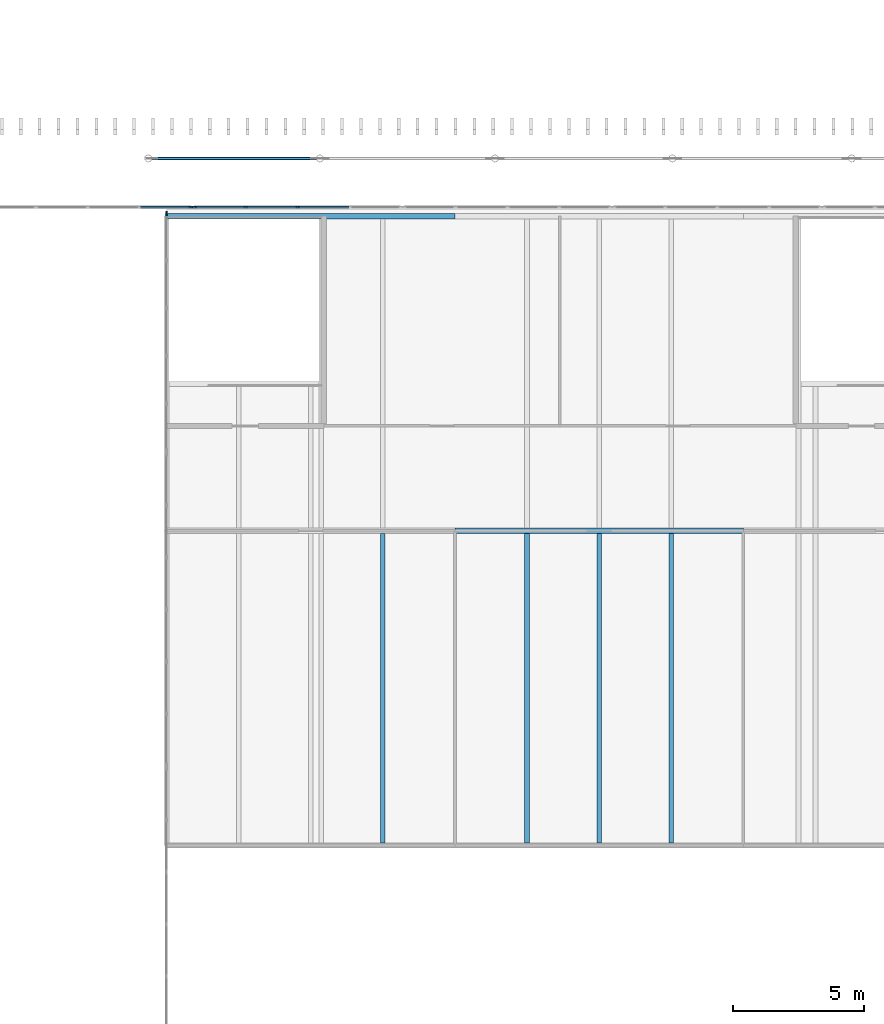
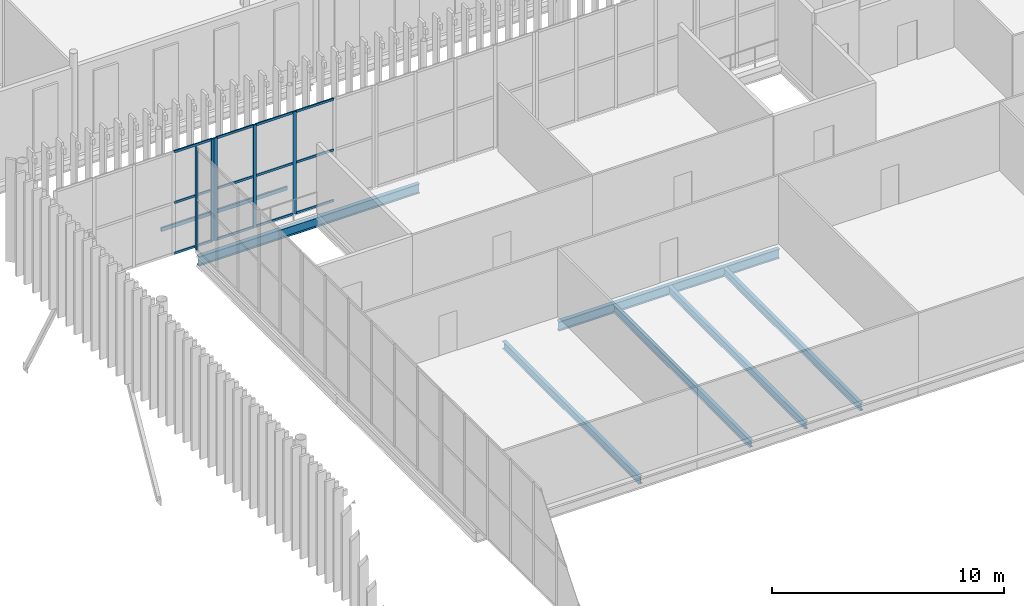
# One storey, part 65 of 170: 18 members, 6 beams, 3 elements without a shape of their own.
"""IFC4 building model written with IfcOpenShell, lengths in metres."""

from ifc_helpers import new_model, si_unit, direction, frame, origin, origin_2d, place, context, subcontext, project, spatial, rectangle, hollow_rectangle, i_section, extrude, material, layer, layer_set, material_profile, profile_set, type_object, element, aggregate, save


model = new_model("IFC4")

# Units and contexts
model_context = context("Model", 3, precision=1e-05, world=origin(), true_north=direction((0.0, 1.0)))
body_context = subcontext(model_context, "Body", "Model", "MODEL_VIEW")
ifc_project = project(units=[si_unit("LENGTHUNIT", "METRE"), si_unit("AREAUNIT", "SQUARE_METRE"), si_unit("VOLUMEUNIT", "CUBIC_METRE"), si_unit("PLANEANGLEUNIT", "RADIAN"), si_unit("MASSUNIT", "GRAM", prefix="KILO")], contexts=[model_context])

# Site, building, storey
site_placement = place(None, origin())
site = spatial("IfcSite", under=ifc_project, at=site_placement, CompositionType="ELEMENT")
building_placement = place(site_placement, origin())
building = spatial("IfcBuilding", under=site, at=building_placement, Name="Ravi Spectrum Wholesale Market", CompositionType="ELEMENT")
storey_placement = place(building_placement, frame((0.0, 0.0, 5.39990234375)))
storey = spatial("IfcBuildingStorey", under=building, at=storey_placement, Name="L01", CompositionType="ELEMENT", Elevation=5.39990234375)

# Beams
ifc_material_1 = material(Name="Steel S355", Category="steel")
ifc_material_profile_1 = material_profile(ifc_material_1, i_section(OverallWidth=0.179931640625, OverallDepth=0.39990234375, WebThickness=0.008544921875, FlangeThickness=0.013427734375, at=origin_2d()))
ifc_profile_set_1 = profile_set([ifc_material_profile_1], Name="Steel S355")
beam_type_1 = type_object("IfcBeamType", Name="IPE 400 beam", PredefinedType="BEAM", material=ifc_profile_set_1)
for number, where, z_axis, x_axis, name in (
    (1, (45.25, 171.10009765625, -0.449951171875), (0.0, 1.0, 0.0), (-1.0, 0.0, 0.0), "H1-BM-L01-029"),
    (2, (50.75, 171.10009765625, -0.449951171875), (0.0, 1.0, 0.0), (-1.0, 0.0, 0.0), "H1-BM-L01-031"),
    (3, (53.5, 171.10009765625, -0.449951171875), (0.0, 1.0, 0.0), (-1.0, 0.0, 0.0), "H1-BM-L01-033"),
    (4, (56.25, 171.10009765625, -0.449951171875), (0.0, 1.0, 0.0), (-1.0, 0.0, 0.0), "H1-BM-L01-035"),
):
    element("IfcBeam", number, at=place(storey_placement, frame(where, z_axis=z_axis, x_axis=x_axis)), inside=storey, type_object=beam_type_1, Name=name, PredefinedType="BEAM", context=body_context, shape_type="SweptSolid", body=[
        extrude(i_section(OverallWidth=0.179931640625, OverallDepth=0.39990234375, WebThickness=0.008544921875, FlangeThickness=0.013427734375, at=origin_2d()), origin(), (0.0, 0.0, 1.0), 11.7998046875),
    ])
ifc_material_2 = material(Name="Steel S355", Category="steel")
ifc_material_profile_2 = material_profile(ifc_material_2, i_section(OverallWidth=0.199951171875, OverallDepth=0.5, WebThickness=0.01025390625, FlangeThickness=0.01611328125, at=origin_2d()))
ifc_profile_set_2 = profile_set([ifc_material_profile_2], Name="Steel S355")
beam_type_2 = type_object("IfcBeamType", Name="IPE 500 girder", PredefinedType="BEAM", material=ifc_profile_set_2)
for number, where, z_axis, x_axis, name in (
    (5, (48.0, 183.0, -0.5), (1.0, 0.0, 0.0), (0.0, 1.0, 0.0), "H1-BM-L01-008"),
    (6, (37.0, 195.0, -0.5), (1.0, 0.0, 0.0), (0.0, 1.0, 0.0), "H1-BM-L01-013"),
):
    element("IfcBeam", number, at=place(storey_placement, frame(where, z_axis=z_axis, x_axis=x_axis)), inside=storey, type_object=beam_type_2, Name=name, PredefinedType="BEAM", context=body_context, shape_type="SweptSolid", body=[
        extrude(i_section(OverallWidth=0.199951171875, OverallDepth=0.5, WebThickness=0.01025390625, FlangeThickness=0.01611328125, at=origin_2d()), origin(), (0.0, 0.0, 1.0), 11.0),
    ])

# Curtain wall, member
ifc_material_3 = material(Name="Aluminium 6063-T6", Category="aluminium")
ifc_layer = layer(ifc_material_3, 0.14990234375)
ifc_layer_set = layer_set([ifc_layer], Name="Aluminium 6063-T6")
curtain_wall_type = type_object("IfcCurtainWallType", Name="Curtain wall 150", PredefinedType="NOTDEFINED", material=ifc_layer_set)
curtain_wall_1_placement = place(storey_placement, origin())
curtain_wall_1 = element("IfcCurtainWall", 7, at=curtain_wall_1_placement, inside=storey, type_object=curtain_wall_type, Name="H1-CW-L01-014", PredefinedType="NOTDEFINED")
ifc_material_4 = material(Name="Aluminium 6063-T6", Category="aluminium")
ifc_material_profile_3 = material_profile(ifc_material_4, rectangle(XDim=0.06005859375, YDim=0.159912109375, at=origin_2d()))
ifc_profile_set_3 = profile_set([ifc_material_profile_3], Name="Aluminium 6063-T6")
member_type_1 = type_object("IfcMemberType", Name="Mullion 60 x 160", PredefinedType="MULLION", material=ifc_profile_set_3)
member_1_placement = place(storey_placement, frame((37.0, 195.10009765625, 0.0), z_axis=(0.0, 0.0, 1.0), x_axis=(-1.0, 0.0, 0.0)))
member_1 = element("IfcMember", 8, at=member_1_placement, type_object=member_type_1, Name="H1-CW-L01-014 mullion 6", PredefinedType="MULLION", context=body_context, shape_type="SweptSolid", body=[
    extrude(rectangle(XDim=0.06005859375, YDim=0.159912109375, at=origin_2d()), origin(), (0.0, 0.0, 1.0), 5.400146484375),
])
aggregate(curtain_wall_1, [member_1])

curtain_wall_2_placement = place(storey_placement, origin())
curtain_wall_2 = element("IfcCurtainWall", 9, at=curtain_wall_2_placement, inside=storey, type_object=curtain_wall_type, Name="H1-CW-L01-053", PredefinedType="NOTDEFINED")
member_2_placement = place(storey_placement, frame((37.929931640625, 195.340087890625, 0.0), z_axis=(0.0, 0.0, 1.0), x_axis=(0.0, 1.0, 0.0)))
member_2 = element("IfcMember", 10, at=member_2_placement, type_object=member_type_1, Name="H1-CW-L01-053 mullion 5", PredefinedType="MULLION", context=body_context, shape_type="SweptSolid", body=[
    extrude(rectangle(XDim=0.06005859375, YDim=0.159912109375, at=origin_2d()), origin(), (0.0, 0.0, 1.0), 5.400146484375),
])

# Curtain wall, members
curtain_wall_3_placement = place(storey_placement, origin())
curtain_wall_3 = element("IfcCurtainWall", 11, at=curtain_wall_3_placement, inside=storey, type_object=curtain_wall_type, Name="H1-CW-L01-054", PredefinedType="NOTDEFINED")
member_3_placement = place(storey_placement, frame((38.070068359375, 195.340087890625, 0.0), z_axis=(0.0, 0.0, 1.0), x_axis=(0.0, 1.0, 0.0)))
member_3 = element("IfcMember", 12, at=member_3_placement, type_object=member_type_1, Name="H1-CW-L01-054 mullion 1", PredefinedType="MULLION", context=body_context, shape_type="SweptSolid", body=[
    extrude(rectangle(XDim=0.06005859375, YDim=0.159912109375, at=origin_2d()), origin(), (0.0, 0.0, 1.0), 5.400146484375),
])
member_4_placement = place(storey_placement, frame((40.02001953125, 195.340087890625, 0.0), z_axis=(0.0, 0.0, 1.0), x_axis=(0.0, 1.0, 0.0)))
member_4 = element("IfcMember", 13, at=member_4_placement, type_object=member_type_1, Name="H1-CW-L01-054 mullion 2", PredefinedType="MULLION", context=body_context, shape_type="SweptSolid", body=[
    extrude(rectangle(XDim=0.06005859375, YDim=0.159912109375, at=origin_2d()), origin(), (0.0, 0.0, 1.0), 5.400146484375),
])
member_5_placement = place(storey_placement, frame((42.0, 195.340087890625, 0.0), z_axis=(0.0, 0.0, 1.0), x_axis=(0.0, 1.0, 0.0)))
member_5 = element("IfcMember", 14, at=member_5_placement, type_object=member_type_1, Name="H1-CW-L01-054 mullion 3", PredefinedType="MULLION", context=body_context, shape_type="SweptSolid", body=[
    extrude(rectangle(XDim=0.06005859375, YDim=0.159912109375, at=origin_2d()), origin(), (0.0, 0.0, 1.0), 5.400146484375),
])

# Member
ifc_material_5 = material(Name="Steel S355", Category="steel")
ifc_material_profile_4 = material_profile(ifc_material_5, hollow_rectangle(XDim=0.10009765625, YDim=0.199951171875, WallThickness=0.00634765625, InnerFilletRadius=0.00634765625, OuterFilletRadius=0.0126953125, at=origin_2d()))
ifc_profile_set_4 = profile_set([ifc_material_profile_4], Name="Steel S355")
member_type_2 = type_object("IfcMemberType", Name="RHS 200x100x6.3 strut", PredefinedType="STRUT", material=ifc_profile_set_4)
member_6_placement = place(storey_placement, frame((36.439453125, 197.199951171875, 0.0), z_axis=(1.0, 0.0, 0.0), x_axis=(0.0, 1.0, 0.0)))
element("IfcMember", 15, at=member_6_placement, inside=storey, type_object=member_type_2, Name="H1-MB-L01-025", PredefinedType="STRUT", context=body_context, shape_type="SweptSolid", body=[
    extrude(hollow_rectangle(XDim=0.10009765625, YDim=0.199951171875, WallThickness=0.00634765625, InnerFilletRadius=0.00634765625, OuterFilletRadius=0.0126953125, at=origin_2d()), origin(), (0.0, 0.0, 1.0), 6.27197265625),
])

ifc_material_6 = material(Name="Aluminium 6063-T6", Category="aluminium")
ifc_material_profile_5 = material_profile(ifc_material_6, rectangle(XDim=0.06005859375, YDim=0.1201171875, at=origin_2d()))
ifc_profile_set_5 = profile_set([ifc_material_profile_5], Name="Aluminium 6063-T6")
member_type_3 = type_object("IfcMemberType", Name="Transom 60 x 120", PredefinedType="USERDEFINED", material=ifc_profile_set_5)
member_7_placement = place(storey_placement, frame((36.010009765625, 195.340087890625, 0.030029296875), z_axis=(1.0, 0.0, 0.0), x_axis=(0.0, 1.0, 0.0)))
member_7 = element("IfcMember", 16, at=member_7_placement, type_object=member_type_3, Name="H1-CW-L01-053 transom 4.1", ObjectType="TRANSOM", PredefinedType="USERDEFINED", context=body_context, shape_type="SweptSolid", body=[
    extrude(rectangle(XDim=0.06005859375, YDim=0.1201171875, at=origin_2d()), origin(), (0.0, 0.0, 1.0), 1.889892578125),
])

member_8_placement = place(storey_placement, frame((36.010009765625, 195.340087890625, 2.7001953125), z_axis=(1.0, 0.0, 0.0), x_axis=(0.0, 1.0, 0.0)))
member_8 = element("IfcMember", 17, at=member_8_placement, type_object=member_type_3, Name="H1-CW-L01-053 transom 4.2", ObjectType="TRANSOM", PredefinedType="USERDEFINED", context=body_context, shape_type="SweptSolid", body=[
    extrude(rectangle(XDim=0.06005859375, YDim=0.1201171875, at=origin_2d()), origin(), (0.0, 0.0, 1.0), 1.889892578125),
])

member_9_placement = place(storey_placement, frame((36.010009765625, 195.340087890625, 5.3701171875), z_axis=(1.0, 0.0, 0.0), x_axis=(0.0, 1.0, 0.0)))
member_9 = element("IfcMember", 18, at=member_9_placement, type_object=member_type_3, Name="H1-CW-L01-053 transom 4.3", ObjectType="TRANSOM", PredefinedType="USERDEFINED", context=body_context, shape_type="SweptSolid", body=[
    extrude(rectangle(XDim=0.06005859375, YDim=0.1201171875, at=origin_2d()), origin(), (0.0, 0.0, 1.0), 1.889892578125),
])

aggregate(curtain_wall_2, [member_2, member_7, member_8, member_9])

member_10_placement = place(storey_placement, frame((38.10009765625, 195.340087890625, 0.030029296875), z_axis=(1.0, 0.0, 0.0), x_axis=(0.0, 1.0, 0.0)))
member_10 = element("IfcMember", 19, at=member_10_placement, type_object=member_type_3, Name="H1-CW-L01-054 transom 1.1", ObjectType="TRANSOM", PredefinedType="USERDEFINED", context=body_context, shape_type="SweptSolid", body=[
    extrude(rectangle(XDim=0.06005859375, YDim=0.1201171875, at=origin_2d()), origin(), (0.0, 0.0, 1.0), 1.889892578125),
])

member_11_placement = place(storey_placement, frame((38.10009765625, 195.340087890625, 2.7001953125), z_axis=(1.0, 0.0, 0.0), x_axis=(0.0, 1.0, 0.0)))
member_11 = element("IfcMember", 20, at=member_11_placement, type_object=member_type_3, Name="H1-CW-L01-054 transom 1.2", ObjectType="TRANSOM", PredefinedType="USERDEFINED", context=body_context, shape_type="SweptSolid", body=[
    extrude(rectangle(XDim=0.06005859375, YDim=0.1201171875, at=origin_2d()), origin(), (0.0, 0.0, 1.0), 1.889892578125),
])

member_12_placement = place(storey_placement, frame((38.10009765625, 195.340087890625, 5.3701171875), z_axis=(1.0, 0.0, 0.0), x_axis=(0.0, 1.0, 0.0)))
member_12 = element("IfcMember", 21, at=member_12_placement, type_object=member_type_3, Name="H1-CW-L01-054 transom 1.3", ObjectType="TRANSOM", PredefinedType="USERDEFINED", context=body_context, shape_type="SweptSolid", body=[
    extrude(rectangle(XDim=0.06005859375, YDim=0.1201171875, at=origin_2d()), origin(), (0.0, 0.0, 1.0), 1.889892578125),
])

member_13_placement = place(storey_placement, frame((40.050048828125, 195.340087890625, 0.030029296875), z_axis=(1.0, 0.0, 0.0), x_axis=(0.0, 1.0, 0.0)))
member_13 = element("IfcMember", 22, at=member_13_placement, type_object=member_type_3, Name="H1-CW-L01-054 transom 2.1", ObjectType="TRANSOM", PredefinedType="USERDEFINED", context=body_context, shape_type="SweptSolid", body=[
    extrude(rectangle(XDim=0.06005859375, YDim=0.1201171875, at=origin_2d()), origin(), (0.0, 0.0, 1.0), 1.919921875),
])

member_14_placement = place(storey_placement, frame((40.050048828125, 195.340087890625, 2.7001953125), z_axis=(1.0, 0.0, 0.0), x_axis=(0.0, 1.0, 0.0)))
member_14 = element("IfcMember", 23, at=member_14_placement, type_object=member_type_3, Name="H1-CW-L01-054 transom 2.2", ObjectType="TRANSOM", PredefinedType="USERDEFINED", context=body_context, shape_type="SweptSolid", body=[
    extrude(rectangle(XDim=0.06005859375, YDim=0.1201171875, at=origin_2d()), origin(), (0.0, 0.0, 1.0), 1.919921875),
])

member_15_placement = place(storey_placement, frame((40.050048828125, 195.340087890625, 5.3701171875), z_axis=(1.0, 0.0, 0.0), x_axis=(0.0, 1.0, 0.0)))
member_15 = element("IfcMember", 24, at=member_15_placement, type_object=member_type_3, Name="H1-CW-L01-054 transom 2.3", ObjectType="TRANSOM", PredefinedType="USERDEFINED", context=body_context, shape_type="SweptSolid", body=[
    extrude(rectangle(XDim=0.06005859375, YDim=0.1201171875, at=origin_2d()), origin(), (0.0, 0.0, 1.0), 1.919921875),
])

member_16_placement = place(storey_placement, frame((42.030029296875, 195.340087890625, 0.030029296875), z_axis=(1.0, 0.0, 0.0), x_axis=(0.0, 1.0, 0.0)))
member_16 = element("IfcMember", 25, at=member_16_placement, type_object=member_type_3, Name="H1-CW-L01-054 transom 3.1", ObjectType="TRANSOM", PredefinedType="USERDEFINED", context=body_context, shape_type="SweptSolid", body=[
    extrude(rectangle(XDim=0.06005859375, YDim=0.1201171875, at=origin_2d()), origin(), (0.0, 0.0, 1.0), 1.919921875),
])

member_17_placement = place(storey_placement, frame((42.030029296875, 195.340087890625, 2.7001953125), z_axis=(1.0, 0.0, 0.0), x_axis=(0.0, 1.0, 0.0)))
member_17 = element("IfcMember", 26, at=member_17_placement, type_object=member_type_3, Name="H1-CW-L01-054 transom 3.2", ObjectType="TRANSOM", PredefinedType="USERDEFINED", context=body_context, shape_type="SweptSolid", body=[
    extrude(rectangle(XDim=0.06005859375, YDim=0.1201171875, at=origin_2d()), origin(), (0.0, 0.0, 1.0), 1.919921875),
])

member_18_placement = place(storey_placement, frame((42.030029296875, 195.340087890625, 5.3701171875), z_axis=(1.0, 0.0, 0.0), x_axis=(0.0, 1.0, 0.0)))
member_18 = element("IfcMember", 27, at=member_18_placement, type_object=member_type_3, Name="H1-CW-L01-054 transom 3.3", ObjectType="TRANSOM", PredefinedType="USERDEFINED", context=body_context, shape_type="SweptSolid", body=[
    extrude(rectangle(XDim=0.06005859375, YDim=0.1201171875, at=origin_2d()), origin(), (0.0, 0.0, 1.0), 1.919921875),
])

aggregate(curtain_wall_3, [member_3, member_4, member_5, member_10, member_11, member_12, member_13, member_14, member_15, member_16, member_17, member_18])

save(model, "model.ifc")
